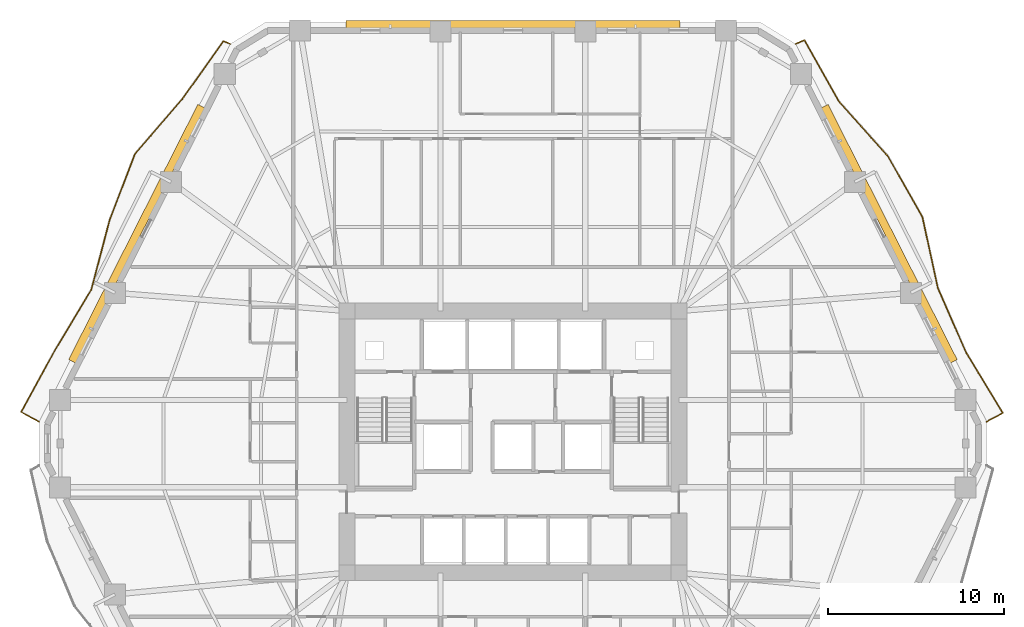
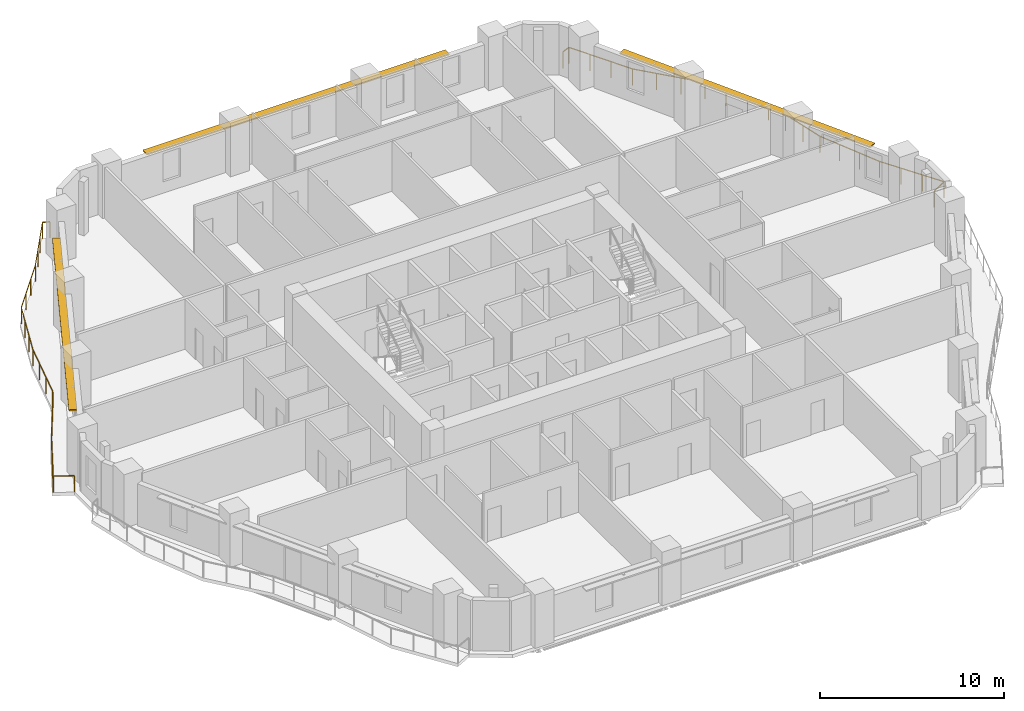
# One storey, part 14 of 14: 3 shading devices, 2 railings.
"""IFC4 building model written with IfcOpenShell, lengths in metres."""

from ifc_helpers import new_model, si_unit, direction, frame, origin, origin_2d, place, context, subcontext, project, spatial, rectangle, extrude, material, layer, layer_set, type_object, element, save


model = new_model("IFC4")

# Units and contexts
model_context = context("Model", 3, precision=1e-05, world=origin(), true_north=direction((0.0, 1.0)))
body_context = subcontext(model_context, "Body", "Model", "MODEL_VIEW")
ifc_project = project(units=[si_unit("LENGTHUNIT", "METRE"), si_unit("AREAUNIT", "SQUARE_METRE"), si_unit("VOLUMEUNIT", "CUBIC_METRE"), si_unit("PLANEANGLEUNIT", "RADIAN"), si_unit("MASSUNIT", "GRAM", prefix="KILO")], contexts=[model_context])

# Site, building, storey
site_placement = place(None, origin())
site = spatial("IfcSite", under=ifc_project, at=site_placement, CompositionType="ELEMENT")
building_placement = place(site_placement, origin())
building = spatial("IfcBuilding", under=site, at=building_placement, Name="Cinnabar Lancet Tower", CompositionType="ELEMENT")
storey_placement = place(building_placement, frame((0.0, 0.0, 39.10009765625)))
storey = spatial("IfcBuildingStorey", under=building, at=storey_placement, Name="L09", CompositionType="ELEMENT", Elevation=39.10009765625)

# Railings
ifc_material_1 = material(Name="Laminated safety glass and bronze stainless steel balustrade", Category="steel")
railing_type = type_object("IfcRailingType", Name="ENV-RLG-BAL-1100", PredefinedType="BALUSTRADE", material=ifc_material_1)
railing_1_placement = place(storey_placement, frame((59.367919921875, 27.049072265625, 0.0)))
element("IfcRailing", 1, at=railing_1_placement, inside=storey, type_object=railing_type, Name="L09 Face 3 Wave Balcony Balustrade", PredefinedType="BALUSTRADE", context=body_context, shape_type="SweptSolid", body=[
    extrude(rectangle(XDim=0.048095703125, YDim=0.048095703125, at=origin_2d()), frame((0.0, 0.0, 1.076171875), z_axis=(0.879538595377, 0.475827552, 0.0), x_axis=(-0.475827552, 0.879538595377, 0.0)), (0.0, 0.0, 1.0), 1.035888671875),
    extrude(rectangle(XDim=0.048095703125, YDim=0.048095703125, at=origin_2d()), frame((0.9111328125, 0.492919921875, 1.076171875), z_axis=(-0.518867147329, 0.854854890272, 0.0), x_axis=(-0.854854890272, -0.518867147329, 0.0)), (0.0, 0.0, 1.0), 4.018310546875),
    extrude(rectangle(XDim=0.048095703125, YDim=0.048095703125, at=origin_2d()), frame((-1.173828125, 3.927978515625, 1.076171875), z_axis=(-0.401090166405, 0.916038579107, 0.0), x_axis=(-0.916038579107, -0.401090166405, 0.0)), (0.0, 0.0, 1.0), 4.011962890625),
    extrude(rectangle(XDim=0.048095703125, YDim=0.048095703125, at=origin_2d()), frame((-2.782958984375, 7.60302734375, 1.076171875), z_axis=(-0.212605976982, 0.977138014076, 0.0), x_axis=(-0.977138014076, -0.212605976982, 0.0)), (0.0, 0.0, 1.0), 4.138671875),
    extrude(rectangle(XDim=0.048095703125, YDim=0.048095703125, at=origin_2d()), frame((-3.662841796875, 11.64697265625, 1.076171875), z_axis=(-0.493947698422, 0.869491616534, 0.0), x_axis=(-0.869491616534, -0.493947698422, 0.0)), (0.0, 0.0, 1.0), 4.010498046875),
    extrude(rectangle(XDim=0.048095703125, YDim=0.048095703125, at=origin_2d()), frame((-5.643798828125, 15.134033203125, 1.076171875), z_axis=(-0.667917263082, 0.744235533738, 0.0), x_axis=(-0.744235533738, -0.667917263082, 0.0)), (0.0, 0.0, 1.0), 4.149169921875),
    extrude(rectangle(XDim=0.048095703125, YDim=0.048095703125, at=origin_2d()), frame((-8.4150390625, 18.221923828125, 1.076171875), z_axis=(-0.490307472693, 0.871549529414, 0.0), x_axis=(-0.871549529414, -0.490307472693, 0.0)), (0.0, 0.0, 1.0), 4.011474609375),
    extrude(rectangle(XDim=0.048095703125, YDim=0.048095703125, at=origin_2d()), frame((-10.3818359375, 21.718017578125, 1.076171875), z_axis=(-0.9173914839, -0.397986011398, 0.0), x_axis=(0.397986011398, -0.9173914839, 0.0)), (0.0, 0.0, 1.0), 0.54296875),
    extrude(rectangle(XDim=0.0419921875, YDim=0.0419921875, at=origin_2d()), origin(), (0.0, 0.0, 1.0), 1.052001953125),
    extrude(rectangle(XDim=0.0419921875, YDim=0.0419921875, at=origin_2d()), frame((0.9111328125, 0.492919921875, 0.0)), (0.0, 0.0, 1.0), 1.052001953125),
    extrude(rectangle(XDim=0.0419921875, YDim=0.0419921875, at=origin_2d()), frame((0.216064453125, 1.637939453125, 0.0)), (0.0, 0.0, 1.0), 1.052001953125),
    extrude(rectangle(XDim=0.0419921875, YDim=0.0419921875, at=origin_2d()), frame((-0.478759765625, 2.782958984375, 0.0)), (0.0, 0.0, 1.0), 1.052001953125),
    extrude(rectangle(XDim=0.0419921875, YDim=0.0419921875, at=origin_2d()), frame((-1.173828125, 3.927978515625, 0.0)), (0.0, 0.0, 1.0), 1.052001953125),
    extrude(rectangle(XDim=0.0419921875, YDim=0.0419921875, at=origin_2d()), frame((-1.710205078125, 5.153076171875, 0.0)), (0.0, 0.0, 1.0), 1.052001953125),
    extrude(rectangle(XDim=0.0419921875, YDim=0.0419921875, at=origin_2d()), frame((-2.24658203125, 6.3779296875, 0.0)), (0.0, 0.0, 1.0), 1.052001953125),
    extrude(rectangle(XDim=0.0419921875, YDim=0.0419921875, at=origin_2d()), frame((-2.782958984375, 7.60302734375, 0.0)), (0.0, 0.0, 1.0), 1.052001953125),
    extrude(rectangle(XDim=0.0419921875, YDim=0.0419921875, at=origin_2d()), frame((-3.076171875, 8.950927734375, 0.0)), (0.0, 0.0, 1.0), 1.052001953125),
    extrude(rectangle(XDim=0.0419921875, YDim=0.0419921875, at=origin_2d()), frame((-3.36962890625, 10.299072265625, 0.0)), (0.0, 0.0, 1.0), 1.052001953125),
    extrude(rectangle(XDim=0.0419921875, YDim=0.0419921875, at=origin_2d()), frame((-3.662841796875, 11.64697265625, 0.0)), (0.0, 0.0, 1.0), 1.052001953125),
    extrude(rectangle(XDim=0.0419921875, YDim=0.0419921875, at=origin_2d()), frame((-4.3232421875, 12.809326171875, 0.0)), (0.0, 0.0, 1.0), 1.052001953125),
    extrude(rectangle(XDim=0.0419921875, YDim=0.0419921875, at=origin_2d()), frame((-4.9833984375, 13.9716796875, 0.0)), (0.0, 0.0, 1.0), 1.052001953125),
    extrude(rectangle(XDim=0.0419921875, YDim=0.0419921875, at=origin_2d()), frame((-5.643798828125, 15.134033203125, 0.0)), (0.0, 0.0, 1.0), 1.052001953125),
    extrude(rectangle(XDim=0.0419921875, YDim=0.0419921875, at=origin_2d()), frame((-6.567626953125, 16.163330078125, 0.0)), (0.0, 0.0, 1.0), 1.052001953125),
    extrude(rectangle(XDim=0.0419921875, YDim=0.0419921875, at=origin_2d()), frame((-7.4912109375, 17.192626953125, 0.0)), (0.0, 0.0, 1.0), 1.052001953125),
    extrude(rectangle(XDim=0.0419921875, YDim=0.0419921875, at=origin_2d()), frame((-8.4150390625, 18.221923828125, 0.0)), (0.0, 0.0, 1.0), 1.052001953125),
    extrude(rectangle(XDim=0.0419921875, YDim=0.0419921875, at=origin_2d()), frame((-9.070556640625, 19.38720703125, 0.0)), (0.0, 0.0, 1.0), 1.052001953125),
    extrude(rectangle(XDim=0.0419921875, YDim=0.0419921875, at=origin_2d()), frame((-9.726318359375, 20.552734375, 0.0)), (0.0, 0.0, 1.0), 1.052001953125),
    extrude(rectangle(XDim=0.0419921875, YDim=0.0419921875, at=origin_2d()), frame((-10.3818359375, 21.718017578125, 0.0)), (0.0, 0.0, 1.0), 1.052001953125),
    extrude(rectangle(XDim=0.0419921875, YDim=0.0419921875, at=origin_2d()), frame((-10.8798828125, 21.501953125, 0.0)), (0.0, 0.0, 1.0), 1.052001953125),
])
railing_2_placement = place(storey_placement, frame((16.31201171875, 48.551025390625, 0.0)))
element("IfcRailing", 2, at=railing_2_placement, inside=storey, type_object=railing_type, Name="L09 Face 5 Wave Balcony Balustrade", PredefinedType="BALUSTRADE", context=body_context, shape_type="SweptSolid", body=[
    extrude(rectangle(XDim=0.048095703125, YDim=0.048095703125, at=origin_2d()), frame((0.0, 0.0, 1.076171875), z_axis=(-0.924824144788, 0.380394927958, 0.0), x_axis=(-0.380394927958, -0.924824144788, 0.0)), (0.0, 0.0, 1.0), 0.415283203125),
    extrude(rectangle(XDim=0.048095703125, YDim=0.048095703125, at=origin_2d()), frame((-0.384033203125, 0.157958984375, 1.076171875), z_axis=(-0.579652714085, -0.814863627274, 0.0), x_axis=(0.814863627274, -0.579652714085, 0.0)), (0.0, 0.0, 1.0), 4.05224609375),
    extrude(rectangle(XDim=0.048095703125, YDim=0.048095703125, at=origin_2d()), frame((-2.73291015625, -3.14404296875, 1.076171875), z_axis=(-0.652723128043, -0.75759654046, 0.0), x_axis=(0.75759654046, -0.652723128043, 0.0)), (0.0, 0.0, 1.0), 4.12744140625),
    extrude(rectangle(XDim=0.048095703125, YDim=0.048095703125, at=origin_2d()), frame((-5.427001953125, -6.27099609375, 1.076171875), z_axis=(-0.3578452614, -0.933780899833, 0.0), x_axis=(0.933780899833, -0.3578452614, 0.0)), (0.0, 0.0, 1.0), 4.026611328125),
    extrude(rectangle(XDim=0.048095703125, YDim=0.048095703125, at=origin_2d()), frame((-6.867919921875, -10.031005859375, 1.076171875), z_axis=(-0.254352491244, -0.967111581048, 0.0), x_axis=(0.967111581048, -0.254352491244, 0.0)), (0.0, 0.0, 1.0), 4.0966796875),
    extrude(rectangle(XDim=0.048095703125, YDim=0.048095703125, at=origin_2d()), frame((-7.909912109375, -13.992919921875, 1.076171875), z_axis=(-0.514906886647, -0.857246112901, 0.0), x_axis=(0.857246112901, -0.514906886647, 0.0)), (0.0, 0.0, 1.0), 4.0166015625),
    extrude(rectangle(XDim=0.048095703125, YDim=0.048095703125, at=origin_2d()), frame((-9.97802734375, -17.43603515625, 1.076171875), z_axis=(-0.478937469538, -0.877849019064, 0.0), x_axis=(0.877849019064, -0.478937469538, 0.0)), (0.0, 0.0, 1.0), 4.0087890625),
    extrude(rectangle(XDim=0.048095703125, YDim=0.048095703125, at=origin_2d()), frame((-11.89794921875, -20.955078125, 1.076171875), z_axis=(0.880898182817, -0.473305811828, 0.0), x_axis=(0.473305811828, 0.880898182817, 0.0)), (0.0, 0.0, 1.0), 1.155517578125),
    extrude(rectangle(XDim=0.0419921875, YDim=0.0419921875, at=origin_2d()), origin(), (0.0, 0.0, 1.0), 1.052001953125),
    extrude(rectangle(XDim=0.0419921875, YDim=0.0419921875, at=origin_2d()), frame((-0.384033203125, 0.157958984375, 0.0)), (0.0, 0.0, 1.0), 1.052001953125),
    extrude(rectangle(XDim=0.0419921875, YDim=0.0419921875, at=origin_2d()), frame((-1.1669921875, -0.942626953125, 0.0)), (0.0, 0.0, 1.0), 1.052001953125),
    extrude(rectangle(XDim=0.0419921875, YDim=0.0419921875, at=origin_2d()), frame((-1.949951171875, -2.04345703125, 0.0)), (0.0, 0.0, 1.0), 1.052001953125),
    extrude(rectangle(XDim=0.0419921875, YDim=0.0419921875, at=origin_2d()), frame((-2.73291015625, -3.14404296875, 0.0)), (0.0, 0.0, 1.0), 1.052001953125),
    extrude(rectangle(XDim=0.0419921875, YDim=0.0419921875, at=origin_2d()), frame((-3.630859375, -4.186279296875, 0.0)), (0.0, 0.0, 1.0), 1.052001953125),
    extrude(rectangle(XDim=0.0419921875, YDim=0.0419921875, at=origin_2d()), frame((-4.529052734375, -5.228759765625, 0.0)), (0.0, 0.0, 1.0), 1.052001953125),
    extrude(rectangle(XDim=0.0419921875, YDim=0.0419921875, at=origin_2d()), frame((-5.427001953125, -6.27099609375, 0.0)), (0.0, 0.0, 1.0), 1.052001953125),
    extrude(rectangle(XDim=0.0419921875, YDim=0.0419921875, at=origin_2d()), frame((-5.9072265625, -7.5244140625, 0.0)), (0.0, 0.0, 1.0), 1.052001953125),
    extrude(rectangle(XDim=0.0419921875, YDim=0.0419921875, at=origin_2d()), frame((-6.3876953125, -8.777587890625, 0.0)), (0.0, 0.0, 1.0), 1.052001953125),
    extrude(rectangle(XDim=0.0419921875, YDim=0.0419921875, at=origin_2d()), frame((-6.867919921875, -10.031005859375, 0.0)), (0.0, 0.0, 1.0), 1.052001953125),
    extrude(rectangle(XDim=0.0419921875, YDim=0.0419921875, at=origin_2d()), frame((-7.21533203125, -11.3515625, 0.0)), (0.0, 0.0, 1.0), 1.052001953125),
    extrude(rectangle(XDim=0.0419921875, YDim=0.0419921875, at=origin_2d()), frame((-7.5625, -12.67236328125, 0.0)), (0.0, 0.0, 1.0), 1.052001953125),
    extrude(rectangle(XDim=0.0419921875, YDim=0.0419921875, at=origin_2d()), frame((-7.909912109375, -13.992919921875, 0.0)), (0.0, 0.0, 1.0), 1.052001953125),
    extrude(rectangle(XDim=0.0419921875, YDim=0.0419921875, at=origin_2d()), frame((-8.599365234375, -15.140625, 0.0)), (0.0, 0.0, 1.0), 1.052001953125),
    extrude(rectangle(XDim=0.0419921875, YDim=0.0419921875, at=origin_2d()), frame((-9.28857421875, -16.288330078125, 0.0)), (0.0, 0.0, 1.0), 1.052001953125),
    extrude(rectangle(XDim=0.0419921875, YDim=0.0419921875, at=origin_2d()), frame((-9.97802734375, -17.43603515625, 0.0)), (0.0, 0.0, 1.0), 1.052001953125),
    extrude(rectangle(XDim=0.0419921875, YDim=0.0419921875, at=origin_2d()), frame((-10.617919921875, -18.609130859375, 0.0)), (0.0, 0.0, 1.0), 1.052001953125),
    extrude(rectangle(XDim=0.0419921875, YDim=0.0419921875, at=origin_2d()), frame((-11.258056640625, -19.781982421875, 0.0)), (0.0, 0.0, 1.0), 1.052001953125),
    extrude(rectangle(XDim=0.0419921875, YDim=0.0419921875, at=origin_2d()), frame((-11.89794921875, -20.955078125, 0.0)), (0.0, 0.0, 1.0), 1.052001953125),
    extrude(rectangle(XDim=0.0419921875, YDim=0.0419921875, at=origin_2d()), frame((-10.880126953125, -21.501953125, 0.0)), (0.0, 0.0, 1.0), 1.052001953125),
])

# Shading devices
ifc_material_2 = material(Name="Pale limestone architectural aluminium sunshade", Category="masonry")
ifc_layer = layer(ifc_material_2, 0.080078125)
ifc_layer_set = layer_set([ifc_layer], Name="Pale limestone architectural aluminium sunshade")
shading_device_type = type_object("IfcShadingDeviceType", Name="ENV-SHD-LVR-450", PredefinedType="JALOUSIE", material=ifc_layer_set)
shading_device_1_placement = place(storey_placement, frame((53.81005859375, 37.743896484375, 2.639892578125), z_axis=(0.0, 0.0, 1.0), x_axis=(-0.451500573218, 0.892270829056, 0.0)))
element("IfcShadingDevice", 3, at=shading_device_1_placement, inside=storey, type_object=shading_device_type, Name="L09 Face 3 Horizontal Sunshade Canopy", PredefinedType="JALOUSIE", context=body_context, shape_type="SweptSolid", body=[
    extrude(rectangle(XDim=16.279052734375, YDim=0.449951171875, at=origin_2d()), origin(), (0.0, 0.0, 1.0), 0.080078125),
])
shading_device_2_placement = place(storey_placement, frame((32.39990234375, 49.669921875, 2.639892578125), z_axis=(0.0, 0.0, 1.0), x_axis=(-1.0, 0.0, 0.0)))
element("IfcShadingDevice", 4, at=shading_device_2_placement, inside=storey, type_object=shading_device_type, Name="L09 Face 4 Horizontal Sunshade Canopy", PredefinedType="JALOUSIE", context=body_context, shape_type="SweptSolid", body=[
    extrude(rectangle(XDim=18.993896484375, YDim=0.449951171875, at=origin_2d()), origin(), (0.0, 0.0, 1.0), 0.080078125),
])
shading_device_3_placement = place(storey_placement, frame((10.989990234375, 37.743896484375, 2.639892578125), z_axis=(0.0, 0.0, 1.0), x_axis=(-0.451500573218, -0.892270829056, 0.0)))
element("IfcShadingDevice", 5, at=shading_device_3_placement, inside=storey, type_object=shading_device_type, Name="L09 Face 5 Horizontal Sunshade Canopy", PredefinedType="JALOUSIE", context=body_context, shape_type="SweptSolid", body=[
    extrude(rectangle(XDim=16.279052734375, YDim=0.449951171875, at=origin_2d()), origin(), (0.0, 0.0, 1.0), 0.080078125),
])

save(model, "model.ifc")
